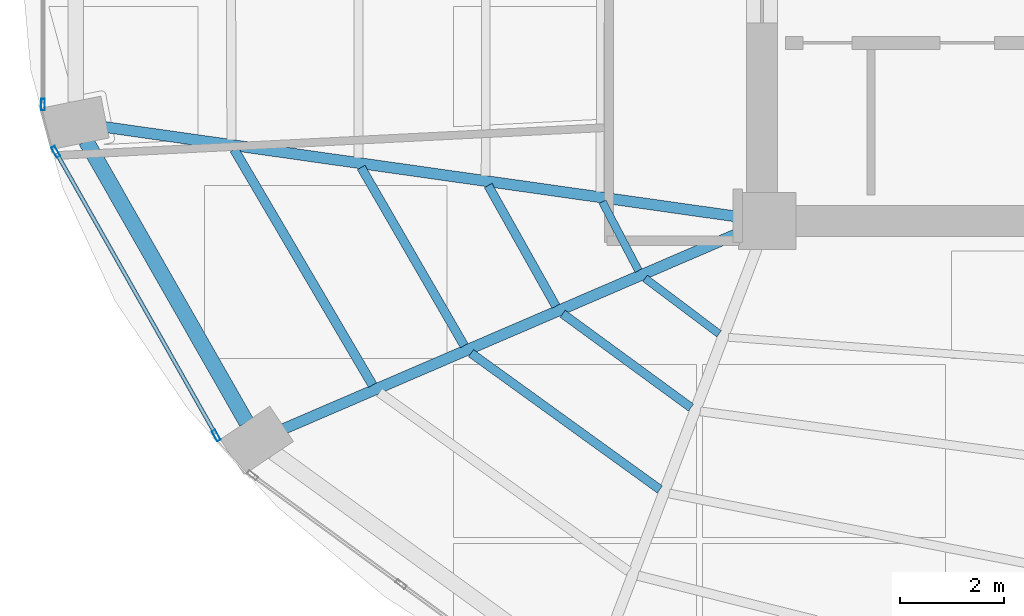
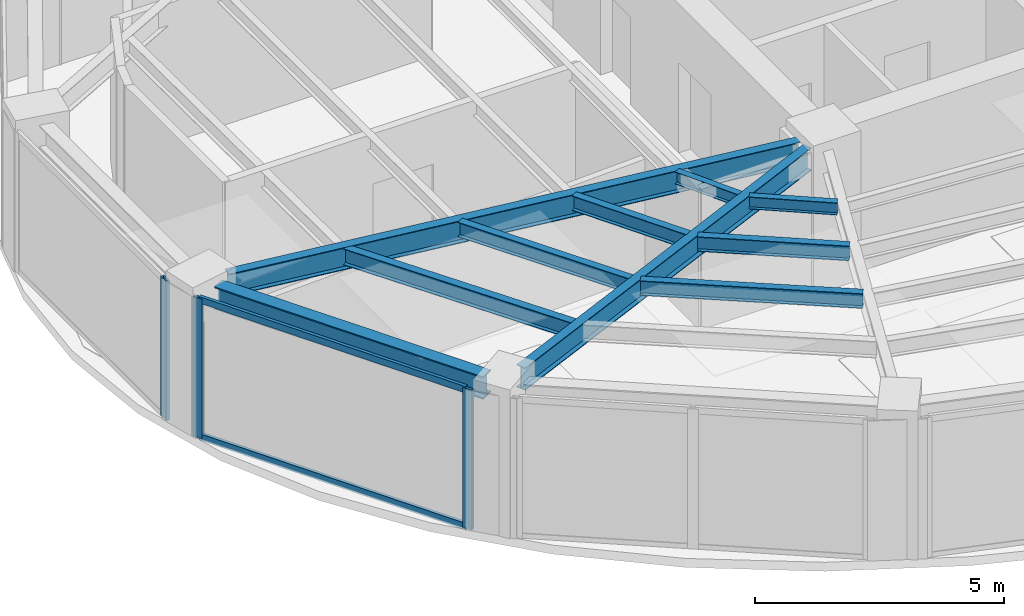
# One storey, part 3 of 20: 10 beams, 5 members, 2 elements without a shape of their own.
"""IFC4 building model written with IfcOpenShell, lengths in metres."""

from ifc_helpers import new_model, si_unit, direction, frame, origin, origin_2d, place, context, subcontext, project, spatial, hollow_rectangle, i_section, extrude, material, layer, layer_set, material_profile, profile_set, type_object, element, aggregate, save


model = new_model("IFC4")

# Units and contexts
model_context = context("Model", 3, precision=1e-05, world=origin(), true_north=direction((0.0, 1.0)))
body_context = subcontext(model_context, "Body", "Model", "MODEL_VIEW")
ifc_project = project(units=[si_unit("LENGTHUNIT", "METRE"), si_unit("AREAUNIT", "SQUARE_METRE"), si_unit("VOLUMEUNIT", "CUBIC_METRE"), si_unit("PLANEANGLEUNIT", "RADIAN"), si_unit("MASSUNIT", "GRAM", prefix="KILO")], contexts=[model_context])

# Site, building, storey
site_placement = place(None, origin())
site = spatial("IfcSite", under=ifc_project, at=site_placement, CompositionType="ELEMENT")
building_placement = place(site_placement, origin())
building = spatial("IfcBuilding", under=site, at=building_placement, Name="Lazwardi Medical Tower", CompositionType="ELEMENT")
storey_placement = place(building_placement, frame((0.0, 0.0, 141.93603515625)))
storey = spatial("IfcBuildingStorey", under=building, at=storey_placement, Name="L36", CompositionType="ELEMENT", Elevation=141.93603515625)

# Beams
ifc_material_1 = material(Name="Steel S355", Category="steel")
ifc_material_profile_1 = material_profile(ifc_material_1, i_section(OverallWidth=0.300048828125, OverallDepth=0.550048828125, WebThickness=0.014892578125, FlangeThickness=0.029052734375, at=origin_2d()), Name="HEB 550")
ifc_profile_set_1 = profile_set([ifc_material_profile_1], Name="Steel S355")
beam_type_1 = type_object("IfcBeamType", Name="BM-RB-Z3", PredefinedType="BEAM", material=ifc_profile_set_1)
beam_1_placement = place(storey_placement, frame((13.272216796875, 21.94091796875, 3.153076171875), z_axis=(0.495460926326, -0.868630226554, 0.0), x_axis=(0.868630226554, 0.495460926326, 0.0)))
element("IfcBeam", 1, at=beam_1_placement, inside=storey, type_object=beam_type_1, Name="Ring beam RB-04 B13 L36", PredefinedType="BEAM", context=body_context, shape_type="SweptSolid", body=[
    extrude(i_section(OverallWidth=0.300048828125, OverallDepth=0.550048828125, WebThickness=0.014892578125, FlangeThickness=0.029052734375, at=origin_2d()), origin(), (0.0, 0.0, 1.0), 6.24462890625),
])
ifc_material_profile_2 = material_profile(ifc_material_1, i_section(OverallWidth=0.2099609375, OverallDepth=0.550048828125, WebThickness=0.010986328125, FlangeThickness=0.01708984375, at=origin_2d()), Name="IPE 550")
ifc_profile_set_2 = profile_set([ifc_material_profile_2], Name="Steel S355")
beam_type_2 = type_object("IfcBeamType", Name="BM-RG-W2", PredefinedType="BEAM", material=ifc_profile_set_2)
beam_2_placement = place(storey_placement, frame((13.628662109375, 22.209716796875, 3.153076171875), z_axis=(0.99010958763, -0.140296131389, 0.0), x_axis=(0.140296131389, 0.99010958763, 0.0)))
element("IfcBeam", 2, at=beam_2_placement, inside=storey, type_object=beam_type_2, Name="Radial girder RG-03 R13 L36", PredefinedType="BEAM", context=body_context, shape_type="SweptSolid", body=[
    extrude(i_section(OverallWidth=0.2099609375, OverallDepth=0.550048828125, WebThickness=0.010986328125, FlangeThickness=0.01708984375, at=origin_2d()), origin(), (0.0, 0.0, 1.0), 12.364013671875),
])
beam_3_placement = place(storey_placement, frame((17.078857421875, 16.390380859375, 3.153076171875), z_axis=(0.918608156288, 0.395169653695, 0.0), x_axis=(-0.395169653695, 0.918608156288, 0.0)))
element("IfcBeam", 3, at=beam_3_placement, inside=storey, type_object=beam_type_2, Name="Radial girder RG-03 R14 L36", PredefinedType="BEAM", context=body_context, shape_type="SweptSolid", body=[
    extrude(i_section(OverallWidth=0.2099609375, OverallDepth=0.550048828125, WebThickness=0.010986328125, FlangeThickness=0.01708984375, at=origin_2d()), origin(), (0.0, 0.0, 1.0), 9.61181640625),
])
ifc_material_profile_3 = material_profile(ifc_material_1, i_section(OverallWidth=0.179931640625, OverallDepth=0.39990234375, WebThickness=0.008544921875, FlangeThickness=0.013427734375, at=origin_2d()), Name="IPE 400")
ifc_profile_set_3 = profile_set([ifc_material_profile_3], Name="Steel S355")
beam_type_3 = type_object("IfcBeamType", Name="BM-SJ-01", PredefinedType="JOIST", material=ifc_profile_set_3)
beam_4_placement = place(storey_placement, frame((16.127685546875, 21.776611328125, 3.22802734375), z_axis=(0.506420212881, -0.862286824662, 0.0), x_axis=(0.862286824662, 0.506420212881, 0.0)))
element("IfcBeam", 4, at=beam_4_placement, inside=storey, type_object=beam_type_3, Name="Secondary joist SJ-01 R1 B13 L36", PredefinedType="JOIST", context=body_context, shape_type="SweptSolid", body=[
    extrude(i_section(OverallWidth=0.179931640625, OverallDepth=0.39990234375, WebThickness=0.008544921875, FlangeThickness=0.013427734375, at=origin_2d()), origin(), (0.0, 0.0, 1.0), 5.265380859375),
])
ifc_material_profile_4 = material_profile(ifc_material_1, i_section(OverallWidth=0.169921875, OverallDepth=0.360107421875, WebThickness=0.008056640625, FlangeThickness=0.0126953125, at=origin_2d()), Name="IPE 360")
ifc_profile_set_4 = profile_set([ifc_material_profile_4], Name="Steel S355")
beam_type_4 = type_object("IfcBeamType", Name="BM-SJ-02", PredefinedType="JOIST", material=ifc_profile_set_4)
beam_5_placement = place(storey_placement, frame((18.5751953125, 21.42919921875, 3.248046875), z_axis=(0.500640648605, -0.865655209055, 0.0), x_axis=(0.865655209055, 0.500640648605, 0.0)))
element("IfcBeam", 5, at=beam_5_placement, inside=storey, type_object=beam_type_4, Name="Secondary joist SJ-02 R2 B13 L36", PredefinedType="JOIST", context=body_context, shape_type="SweptSolid", body=[
    extrude(i_section(OverallWidth=0.169921875, OverallDepth=0.360107421875, WebThickness=0.008056640625, FlangeThickness=0.0126953125, at=origin_2d()), origin(), (0.0, 0.0, 1.0), 3.965576171875),
])
beam_6_placement = place(storey_placement, frame((20.69189453125, 17.851318359375, 3.248046875), z_axis=(0.810738039179, -0.585409114917, 0.0), x_axis=(0.585409114917, 0.810738039179, 0.0)))
element("IfcBeam", 6, at=beam_6_placement, inside=storey, type_object=beam_type_4, Name="Secondary joist SJ-02 R2 B14 L36", PredefinedType="JOIST", context=body_context, shape_type="SweptSolid", body=[
    extrude(i_section(OverallWidth=0.169921875, OverallDepth=0.360107421875, WebThickness=0.008056640625, FlangeThickness=0.0126953125, at=origin_2d()), origin(), (0.0, 0.0, 1.0), 4.48779296875),
])
beam_7_placement = place(storey_placement, frame((21.022705078125, 21.081787109375, 3.248046875), z_axis=(0.489408945026, -0.872054404569, 0.0), x_axis=(0.872054404569, 0.489408945026, 0.0)))
element("IfcBeam", 7, at=beam_7_placement, inside=storey, type_object=beam_type_4, Name="Secondary joist SJ-02 R3 B13 L36", PredefinedType="JOIST", context=body_context, shape_type="SweptSolid", body=[
    extrude(i_section(OverallWidth=0.169921875, OverallDepth=0.360107421875, WebThickness=0.008056640625, FlangeThickness=0.0126953125, at=origin_2d()), origin(), (0.0, 0.0, 1.0), 2.666259765625),
])
beam_8_placement = place(storey_placement, frame((22.45751953125, 18.6103515625, 3.248046875), z_axis=(0.807285959008, -0.590160470033, 0.0), x_axis=(0.590160470033, 0.807285959008, 0.0)))
element("IfcBeam", 8, at=beam_8_placement, inside=storey, type_object=beam_type_4, Name="Secondary joist SJ-02 R3 B14 L36", PredefinedType="JOIST", context=body_context, shape_type="SweptSolid", body=[
    extrude(i_section(OverallWidth=0.169921875, OverallDepth=0.360107421875, WebThickness=0.008056640625, FlangeThickness=0.0126953125, at=origin_2d()), origin(), (0.0, 0.0, 1.0), 3.06298828125),
])
ifc_material_profile_5 = material_profile(ifc_material_1, i_section(OverallWidth=0.14990234375, OverallDepth=0.300048828125, WebThickness=0.007080078125, FlangeThickness=0.0107421875, at=origin_2d()), Name="IPE 300")
ifc_profile_set_5 = profile_set([ifc_material_profile_5], Name="Steel S355")
beam_type_5 = type_object("IfcBeamType", Name="BM-SJ-03", PredefinedType="JOIST", material=ifc_profile_set_5)
beam_9_placement = place(storey_placement, frame((23.2236328125, 20.768310546875, 3.278076171875), z_axis=(0.464469748171, -0.885588986513, 0.0), x_axis=(0.885588986513, 0.464469748171, 0.0)))
element("IfcBeam", 9, at=beam_9_placement, inside=storey, type_object=beam_type_5, Name="Secondary joist SJ-03 R4 B13 L36", PredefinedType="JOIST", context=body_context, shape_type="SweptSolid", body=[
    extrude(i_section(OverallWidth=0.14990234375, OverallDepth=0.300048828125, WebThickness=0.007080078125, FlangeThickness=0.0107421875, at=origin_2d()), origin(), (0.0, 0.0, 1.0), 1.498046875),
])
beam_10_placement = place(storey_placement, frame((24.0458984375, 19.29296875, 3.278076171875), z_axis=(0.799884834751, -0.600153522972, 0.0), x_axis=(0.600153522972, 0.799884834751, 0.0)))
element("IfcBeam", 10, at=beam_10_placement, inside=storey, type_object=beam_type_5, Name="Secondary joist SJ-03 R4 B14 L36", PredefinedType="JOIST", context=body_context, shape_type="SweptSolid", body=[
    extrude(i_section(OverallWidth=0.14990234375, OverallDepth=0.300048828125, WebThickness=0.007080078125, FlangeThickness=0.0107421875, at=origin_2d()), origin(), (0.0, 0.0, 1.0), 1.781005859375),
])

# Curtain wall, member
ifc_material_2 = material(Name="Anodised bronze aluminium and solar control glazing", Category="aluminium")
ifc_layer = layer(ifc_material_2, 0.195068359375)
ifc_layer_set = layer_set([ifc_layer], Name="Anodised bronze aluminium and solar control glazing")
curtain_wall_type = type_object("IfcCurtainWallType", Name="CW-SYS-03", PredefinedType="NOTDEFINED", material=ifc_layer_set)
curtain_wall_1_placement = place(storey_placement, origin())
curtain_wall_1 = element("IfcCurtainWall", 11, at=curtain_wall_1_placement, inside=storey, type_object=curtain_wall_type, Name="L36 Unitised bronze curtain wall CW-03", PredefinedType="NOTDEFINED")
ifc_material_3 = material(Name="Anodised bronze aluminium", Category="aluminium")
ifc_material_profile_6 = material_profile(ifc_material_3, hollow_rectangle(XDim=0.074951171875, YDim=0.219970703125, WallThickness=0.00390625, at=origin_2d()), Name="ALU-MULLION 220x75x4")
ifc_profile_set_6 = profile_set([ifc_material_profile_6], Name="Anodised bronze aluminium")
member_type_1 = type_object("IfcMemberType", Name="CW-MUL-01", PredefinedType="MULLION", material=ifc_profile_set_6)
member_1_placement = place(storey_placement, frame((12.4423828125, 22.64208984375, 0.0), z_axis=(0.0, 0.0, 1.0), x_axis=(1.0, 0.0, 0.0)))
member_1 = element("IfcMember", 12, at=member_1_placement, type_object=member_type_1, Name="CW-03 mullion 2", PredefinedType="MULLION", context=body_context, shape_type="SweptSolid", body=[
    extrude(hollow_rectangle(XDim=0.074951171875, YDim=0.219970703125, WallThickness=0.00390625, at=origin_2d()), origin(), (0.0, 0.0, 1.0), 3.427978515625),
])
aggregate(curtain_wall_1, [member_1])

# Curtain wall, members
curtain_wall_2_placement = place(storey_placement, origin())
curtain_wall_2 = element("IfcCurtainWall", 13, at=curtain_wall_2_placement, inside=storey, type_object=curtain_wall_type, Name="L36 Unitised bronze curtain wall CW-03", PredefinedType="NOTDEFINED")
member_2_placement = place(storey_placement, frame((12.68896484375, 21.732666015625, 0.0), z_axis=(0.0, 0.0, 1.0), x_axis=(0.870418989303, 0.492311672683, 0.0)))
member_2 = element("IfcMember", 14, at=member_2_placement, type_object=member_type_1, Name="CW-03 mullion 1", PredefinedType="MULLION", context=body_context, shape_type="SweptSolid", body=[
    extrude(hollow_rectangle(XDim=0.074951171875, YDim=0.219970703125, WallThickness=0.00390625, at=origin_2d()), origin(), (0.0, 0.0, 1.0), 3.427978515625),
])
member_3_placement = place(storey_placement, frame((15.782470703125, 16.26318359375, 0.0), z_axis=(0.0, 0.0, 1.0), x_axis=(0.870418989303, 0.492311672683, 0.0)))
member_3 = element("IfcMember", 15, at=member_3_placement, type_object=member_type_1, Name="CW-03 mullion 2", PredefinedType="MULLION", context=body_context, shape_type="SweptSolid", body=[
    extrude(hollow_rectangle(XDim=0.074951171875, YDim=0.219970703125, WallThickness=0.00390625, at=origin_2d()), origin(), (0.0, 0.0, 1.0), 3.427978515625),
])
ifc_material_profile_7 = material_profile(ifc_material_3, hollow_rectangle(XDim=0.074951171875, YDim=0.159912109375, WallThickness=0.00390625, at=origin_2d()), Name="ALU-TRANSOM 160x75x4")
ifc_profile_set_7 = profile_set([ifc_material_profile_7], Name="Anodised bronze aluminium")
member_type_2 = type_object("IfcMemberType", Name="CW-TRN-01", PredefinedType="USERDEFINED", material=ifc_profile_set_7)
member_4_placement = place(storey_placement, frame((12.707275390625, 21.7001953125, 0.037353515625), z_axis=(0.492306010269, -0.870422191958, 0.0), x_axis=(0.870422191958, 0.492306010269, 0.0)))
member_4 = element("IfcMember", 16, at=member_4_placement, type_object=member_type_2, Name="CW-03 transom 1.1", ObjectType="TRANSOM", PredefinedType="USERDEFINED", context=body_context, shape_type="SweptSolid", body=[
    extrude(hollow_rectangle(XDim=0.074951171875, YDim=0.159912109375, WallThickness=0.00390625, at=origin_2d()), origin(), (0.0, 0.0, 1.0), 6.208740234375),
])
member_5_placement = place(storey_placement, frame((12.707275390625, 21.7001953125, 3.390380859375), z_axis=(0.492306010269, -0.870422191958, 0.0), x_axis=(0.870422191958, 0.492306010269, 0.0)))
member_5 = element("IfcMember", 17, at=member_5_placement, type_object=member_type_2, Name="CW-03 transom 1.2", ObjectType="TRANSOM", PredefinedType="USERDEFINED", context=body_context, shape_type="SweptSolid", body=[
    extrude(hollow_rectangle(XDim=0.074951171875, YDim=0.159912109375, WallThickness=0.00390625, at=origin_2d()), origin(), (0.0, 0.0, 1.0), 6.208740234375),
])
aggregate(curtain_wall_2, [member_2, member_3, member_4, member_5])

save(model, "model.ifc")
